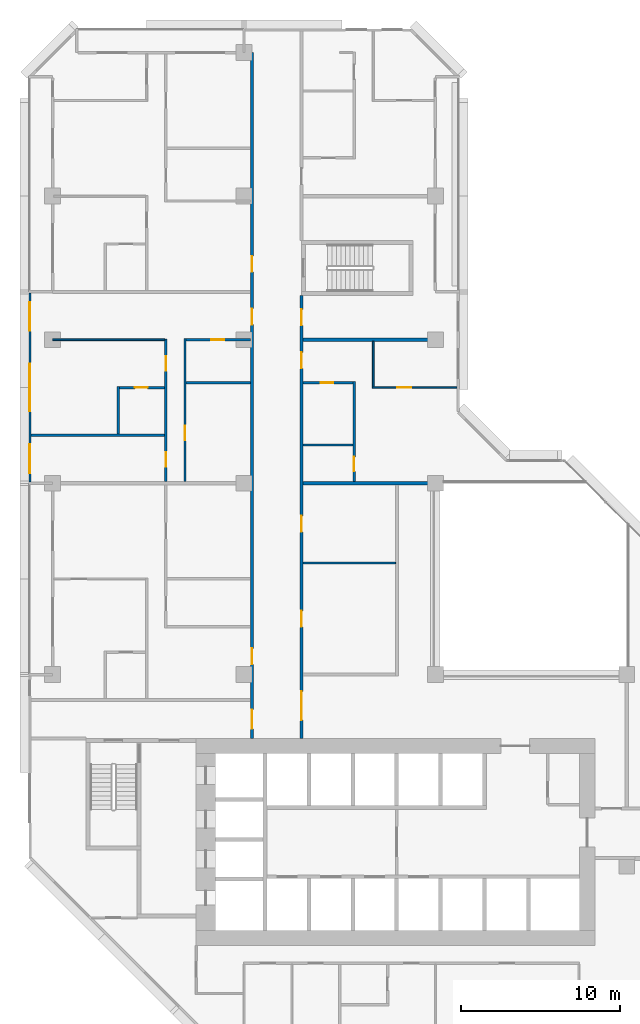
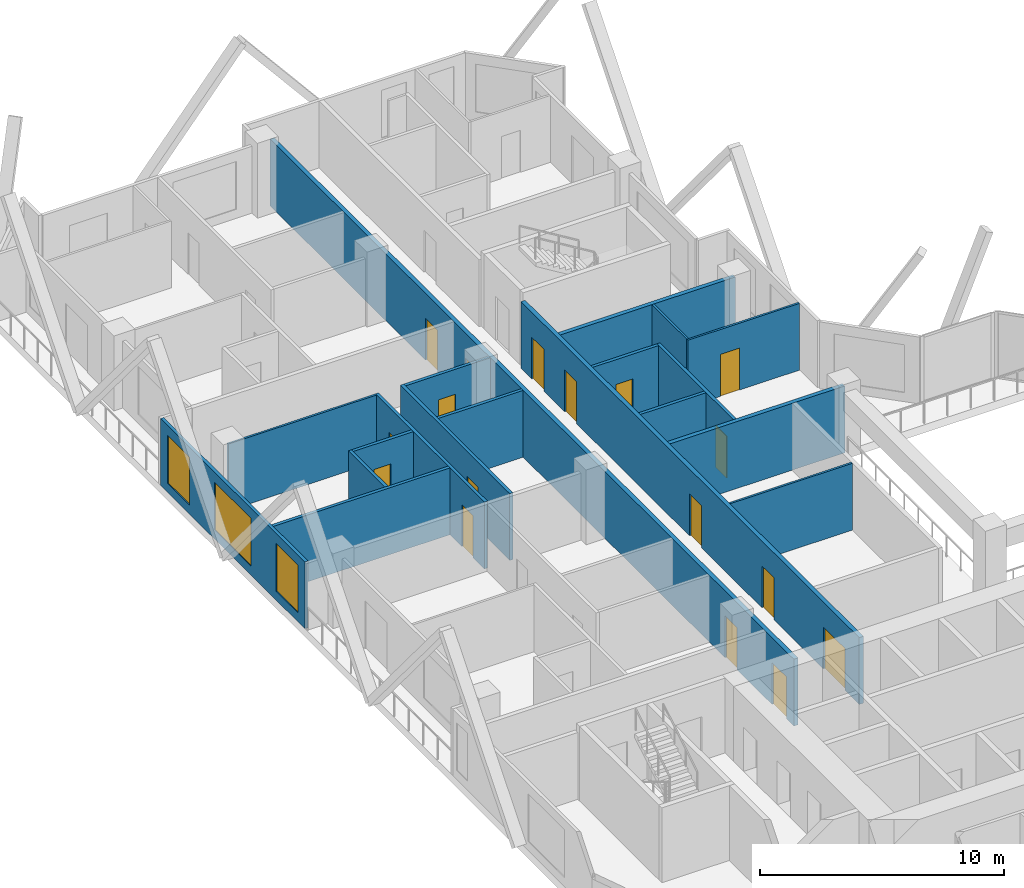
# One storey, part 9 of 15: 19 walls, 17 doors, 3 windows, 20 openings.
"""IFC4 building model written with IfcOpenShell, lengths in metres."""

from ifc_helpers import new_model, si_unit, direction, frame, frame_2d, origin, place, context, subcontext, project, spatial, rectangle, extrude, material, layer, layer_set, type_object, element, fill, save


model = new_model("IFC4")

# Units and contexts
model_context = context("Model", 3, precision=1e-05, world=origin(), true_north=direction((0.0, 1.0)))
body_context = subcontext(model_context, "Body", "Model", "MODEL_VIEW")
ifc_project = project(units=[si_unit("LENGTHUNIT", "METRE"), si_unit("AREAUNIT", "SQUARE_METRE"), si_unit("VOLUMEUNIT", "CUBIC_METRE"), si_unit("PLANEANGLEUNIT", "RADIAN"), si_unit("MASSUNIT", "GRAM", prefix="KILO")], contexts=[model_context])

# Site, building, storey
site_placement = place(None, origin())
site = spatial("IfcSite", under=ifc_project, at=site_placement, CompositionType="ELEMENT")
building_placement = place(site_placement, origin())
building = spatial("IfcBuilding", under=site, at=building_placement, Name="Chenar Terraces", CompositionType="ELEMENT")
storey_placement = place(building_placement, frame((0.0, 0.0, 106.89990234375)))
storey = spatial("IfcBuildingStorey", under=building, at=storey_placement, Name="L24", CompositionType="ELEMENT", Elevation=106.89990234375)

# Wall, openings, doors
ifc_material_1 = material(Name="Gypsum board on steel studs with fire boards", Category="steel")
ifc_layer_1 = layer(ifc_material_1, 0.199951171875)
ifc_layer_set_1 = layer_set([ifc_layer_1], Name="Gypsum board on steel studs with fire boards")
wall_type_1 = type_object("IfcWallType", Name="Corridor wall 200", PredefinedType="PARTITIONING", material=ifc_layer_set_1)
wall_1_placement = place(storey_placement, frame((12.5, 20.0, 0.0), z_axis=(0.0, 0.0, 1.0), x_axis=(0.0, 1.0, 0.0)))
wall_1 = element("IfcWall", 1, at=wall_1_placement, inside=storey, type_object=wall_type_1, Name="Partition L24-034", PredefinedType="PARTITIONING", context=body_context, shape_type="SweptSolid", body=[
    extrude(rectangle(XDim=43.0, YDim=0.199951171875, at=frame_2d((21.5, 0.0))), origin(), (0.0, 0.0, 1.0), 3.35009765625),
])
opening_1_placement = place(wall_1_placement, frame((25.949951171875, 0.0, 0.0)))
opening_1 = element("IfcOpeningElement", 2, at=opening_1_placement, cuts=wall_1, Name="Opening DL24-39", PredefinedType="OPENING", context=body_context, shape_type="SweptSolid", body=[
    extrude(rectangle(XDim=1.0, YDim=2.10009765625, at=frame_2d((0.5, 1.050048828125))), frame((0.0, 0.10986328125, 0.0), z_axis=(0.0, -1.0, 0.0), x_axis=(1.0, 0.0, 0.0)), (0.0, 0.0, 1.0), 0.219970703125),
])
opening_2_placement = place(wall_1_placement, frame((29.25, 0.0, 0.0)))
opening_2 = element("IfcOpeningElement", 3, at=opening_2_placement, cuts=wall_1, Name="Opening DL24-45", PredefinedType="OPENING", context=body_context, shape_type="SweptSolid", body=[
    extrude(rectangle(XDim=1.0, YDim=2.10009765625, at=frame_2d((0.5, 1.050048828125))), frame((0.0, 0.10986328125, 0.0), z_axis=(0.0, -1.0, 0.0), x_axis=(1.0, 0.0, 0.0)), (0.0, 0.0, 1.0), 0.219970703125),
])
opening_3_placement = place(wall_1_placement, frame((0.60009765625, 0.0, 0.0)))
opening_3 = element("IfcOpeningElement", 4, at=opening_3_placement, cuts=wall_1, Name="Opening DL24-48", PredefinedType="OPENING", context=body_context, shape_type="SweptSolid", body=[
    extrude(rectangle(XDim=1.199951171875, YDim=2.10009765625, at=frame_2d((0.60009765625, 1.050048828125))), frame((0.0, 0.10986328125, 0.0), z_axis=(0.0, -1.0, 0.0), x_axis=(1.0, 0.0, 0.0)), (0.0, 0.0, 1.0), 0.219970703125),
])
opening_4_placement = place(wall_1_placement, frame((4.64990234375, 0.0, 0.0)))
opening_4 = element("IfcOpeningElement", 5, at=opening_4_placement, cuts=wall_1, Name="Opening DL24-68", PredefinedType="OPENING", context=body_context, shape_type="SweptSolid", body=[
    extrude(rectangle(XDim=1.0, YDim=2.10009765625, at=frame_2d((0.5, 1.050048828125))), frame((0.0, 0.10986328125, 0.0), z_axis=(0.0, -1.0, 0.0), x_axis=(1.0, 0.0, 0.0)), (0.0, 0.0, 1.0), 0.219970703125),
])
ifc_material_2 = material(Name="Steel-framed fire-resisting door leaf", Category="steel")
door_type_1 = type_object("IfcDoorType", Name="Fire door FD30S 1000 x 2100", OperationType="SINGLE_SWING_LEFT", PredefinedType="DOOR", material=ifc_material_2)
door_1_placement = place(opening_1_placement, origin())
door_1 = element("IfcDoor", 6, at=door_1_placement, inside=storey, type_object=door_type_1, Name="Door DL24-39", OperationType="SINGLE_SWING_LEFT", OverallHeight=2.10009765625, OverallWidth=1.0, PredefinedType="DOOR", context=body_context, shape_type="SweptSolid", body=[
    extrude(rectangle(XDim=1.0, YDim=2.10009765625, at=frame_2d((0.5, 1.050048828125))), frame((0.0, 0.02490234375, 0.0), z_axis=(0.0, -1.0, 0.0), x_axis=(1.0, 0.0, 0.0)), (0.0, 0.0, 1.0), 0.050048828125),
])
fill(opening_1, door_1)
door_2_placement = place(opening_2_placement, origin())
door_2 = element("IfcDoor", 7, at=door_2_placement, inside=storey, type_object=door_type_1, Name="Door DL24-45", OperationType="SINGLE_SWING_LEFT", OverallHeight=2.10009765625, OverallWidth=1.0, PredefinedType="DOOR", context=body_context, shape_type="SweptSolid", body=[
    extrude(rectangle(XDim=1.0, YDim=2.10009765625, at=frame_2d((0.5, 1.050048828125))), frame((0.0, 0.02490234375, 0.0), z_axis=(0.0, -1.0, 0.0), x_axis=(1.0, 0.0, 0.0)), (0.0, 0.0, 1.0), 0.050048828125),
])
fill(opening_2, door_2)
door_3_placement = place(opening_4_placement, origin())
door_3 = element("IfcDoor", 8, at=door_3_placement, inside=storey, type_object=door_type_1, Name="Door DL24-68", OperationType="SINGLE_SWING_LEFT", OverallHeight=2.10009765625, OverallWidth=1.0, PredefinedType="DOOR", context=body_context, shape_type="SweptSolid", body=[
    extrude(rectangle(XDim=1.0, YDim=2.10009765625, at=frame_2d((0.5, 1.050048828125))), frame((0.0, 0.02490234375, 0.0), z_axis=(0.0, -1.0, 0.0), x_axis=(1.0, 0.0, 0.0)), (0.0, 0.0, 1.0), 0.050048828125),
])
fill(opening_4, door_3)
ifc_material_3 = material(Name="Steel-framed fire-resisting door leaf", Category="steel")
door_type_2 = type_object("IfcDoorType", Name="Fire door FD30S 1200 x 2100", OperationType="SINGLE_SWING_LEFT", PredefinedType="DOOR", material=ifc_material_3)
door_4_placement = place(opening_3_placement, origin())
door_4 = element("IfcDoor", 9, at=door_4_placement, inside=storey, type_object=door_type_2, Name="Door DL24-48", OperationType="SINGLE_SWING_RIGHT", OverallHeight=2.10009765625, OverallWidth=1.199951171875, PredefinedType="DOOR", context=body_context, shape_type="SweptSolid", body=[
    extrude(rectangle(XDim=1.199951171875, YDim=2.10009765625, at=frame_2d((0.60009765625, 1.050048828125))), frame((0.0, 0.02490234375, 0.0), z_axis=(0.0, -1.0, 0.0), x_axis=(1.0, 0.0, 0.0)), (0.0, 0.0, 1.0), 0.050048828125),
])
fill(opening_3, door_4)

wall_2_placement = place(storey_placement, frame((15.60009765625, 20.0, 0.0), z_axis=(0.0, 0.0, 1.0), x_axis=(0.0, 1.0, 0.0)))
wall_2 = element("IfcWall", 10, at=wall_2_placement, inside=storey, type_object=wall_type_1, Name="Partition L24-036", PredefinedType="PARTITIONING", context=body_context, shape_type="SweptSolid", body=[
    extrude(rectangle(XDim=27.77490234375, YDim=0.199951171875, at=frame_2d((13.887451171875, 0.0))), origin(), (0.0, 0.0, 1.0), 3.35009765625),
])
opening_5_placement = place(wall_2_placement, frame((7.0, 0.0, 0.0)))
opening_5 = element("IfcOpeningElement", 11, at=opening_5_placement, cuts=wall_2, Name="Opening DL24-1", PredefinedType="OPENING", context=body_context, shape_type="SweptSolid", body=[
    extrude(rectangle(XDim=1.0, YDim=2.10009765625, at=frame_2d((0.5, 1.050048828125))), frame((0.0, 0.10986328125, 0.0), z_axis=(0.0, -1.0, 0.0), x_axis=(1.0, 0.0, 0.0)), (0.0, 0.0, 1.0), 0.219970703125),
])
opening_6_placement = place(wall_2_placement, frame((12.949951171875, 0.0, 0.0)))
opening_6 = element("IfcOpeningElement", 12, at=opening_6_placement, cuts=wall_2, Name="Opening DL24-2", PredefinedType="OPENING", context=body_context, shape_type="SweptSolid", body=[
    extrude(rectangle(XDim=1.0, YDim=2.10009765625, at=frame_2d((0.5, 1.050048828125))), frame((0.0, 0.10986328125, 0.0), z_axis=(0.0, -1.0, 0.0), x_axis=(1.0, 0.0, 0.0)), (0.0, 0.0, 1.0), 0.219970703125),
])
opening_7_placement = place(wall_2_placement, frame((23.199951171875, 0.0, 0.0)))
opening_7 = element("IfcOpeningElement", 13, at=opening_7_placement, cuts=wall_2, Name="Opening DL24-29", PredefinedType="OPENING", context=body_context, shape_type="SweptSolid", body=[
    extrude(rectangle(XDim=1.0, YDim=2.10009765625, at=frame_2d((0.5, 1.050048828125))), frame((0.0, 0.10986328125, 0.0), z_axis=(0.0, -1.0, 0.0), x_axis=(1.0, 0.0, 0.0)), (0.0, 0.0, 1.0), 0.219970703125),
])
opening_8_placement = place(wall_2_placement, frame((1.14990234375, 0.0, 0.0)))
opening_8 = element("IfcOpeningElement", 14, at=opening_8_placement, cuts=wall_2, Name="Opening DL24-47", PredefinedType="OPENING", context=body_context, shape_type="SweptSolid", body=[
    extrude(rectangle(XDim=1.800048828125, YDim=2.10009765625, at=frame_2d((0.89990234375, 1.050048828125))), frame((0.0, 0.10986328125, 0.0), z_axis=(0.0, -1.0, 0.0), x_axis=(1.0, 0.0, 0.0)), (0.0, 0.0, 1.0), 0.219970703125),
])
opening_9_placement = place(wall_2_placement, frame((25.89990234375, 0.0, 0.0)))
opening_9 = element("IfcOpeningElement", 15, at=opening_9_placement, cuts=wall_2, Name="Opening DL24-50", PredefinedType="OPENING", context=body_context, shape_type="SweptSolid", body=[
    extrude(rectangle(XDim=1.0, YDim=2.10009765625, at=frame_2d((0.5, 1.050048828125))), frame((0.0, 0.10986328125, 0.0), z_axis=(0.0, -1.0, 0.0), x_axis=(1.0, 0.0, 0.0)), (0.0, 0.0, 1.0), 0.219970703125),
])
ifc_material_4 = material(Name="Steel-framed fire-resisting door leaf", Category="steel")
door_type_3 = type_object("IfcDoorType", Name="Fire door FD60 1000 x 2100", OperationType="SINGLE_SWING_LEFT", PredefinedType="DOOR", material=ifc_material_4)
door_5_placement = place(opening_5_placement, frame((1.0, 0.0, 0.0), z_axis=(0.0, 0.0, 1.0), x_axis=(-1.0, 0.0, 0.0)))
door_5 = element("IfcDoor", 16, at=door_5_placement, inside=storey, type_object=door_type_3, Name="Door DL24-1", OperationType="SINGLE_SWING_LEFT", OverallHeight=2.10009765625, OverallWidth=1.0, PredefinedType="DOOR", context=body_context, shape_type="SweptSolid", body=[
    extrude(rectangle(XDim=1.0, YDim=2.10009765625, at=frame_2d((0.5, 1.050048828125))), frame((0.0, 0.02490234375, 0.0), z_axis=(0.0, -1.0, 0.0), x_axis=(1.0, 0.0, 0.0)), (0.0, 0.0, 1.0), 0.050048828125),
])
fill(opening_5, door_5)
door_6_placement = place(opening_6_placement, frame((1.0, 0.0, 0.0), z_axis=(0.0, 0.0, 1.0), x_axis=(-1.0, 0.0, 0.0)))
door_6 = element("IfcDoor", 17, at=door_6_placement, inside=storey, type_object=door_type_3, Name="Door DL24-2", OperationType="SINGLE_SWING_LEFT", OverallHeight=2.10009765625, OverallWidth=1.0, PredefinedType="DOOR", context=body_context, shape_type="SweptSolid", body=[
    extrude(rectangle(XDim=1.0, YDim=2.10009765625, at=frame_2d((0.5, 1.050048828125))), frame((0.0, 0.02490234375, 0.0), z_axis=(0.0, -1.0, 0.0), x_axis=(1.0, 0.0, 0.0)), (0.0, 0.0, 1.0), 0.050048828125),
])
fill(opening_6, door_6)
door_7_placement = place(opening_7_placement, frame((1.0, 0.0, 0.0), z_axis=(0.0, 0.0, 1.0), x_axis=(-1.0, 0.0, 0.0)))
door_7 = element("IfcDoor", 18, at=door_7_placement, inside=storey, type_object=door_type_3, Name="Door DL24-29", OperationType="SINGLE_SWING_LEFT", OverallHeight=2.10009765625, OverallWidth=1.0, PredefinedType="DOOR", context=body_context, shape_type="SweptSolid", body=[
    extrude(rectangle(XDim=1.0, YDim=2.10009765625, at=frame_2d((0.5, 1.050048828125))), frame((0.0, 0.02490234375, 0.0), z_axis=(0.0, -1.0, 0.0), x_axis=(1.0, 0.0, 0.0)), (0.0, 0.0, 1.0), 0.050048828125),
])
fill(opening_7, door_7)
door_8_placement = place(opening_9_placement, frame((1.0, 0.0, 0.0), z_axis=(0.0, 0.0, 1.0), x_axis=(-1.0, 0.0, 0.0)))
door_8 = element("IfcDoor", 19, at=door_8_placement, inside=storey, type_object=door_type_3, Name="Door DL24-50", OperationType="SINGLE_SWING_RIGHT", OverallHeight=2.10009765625, OverallWidth=1.0, PredefinedType="DOOR", context=body_context, shape_type="SweptSolid", body=[
    extrude(rectangle(XDim=1.0, YDim=2.10009765625, at=frame_2d((0.5, 1.050048828125))), frame((0.0, 0.02490234375, 0.0), z_axis=(0.0, -1.0, 0.0), x_axis=(1.0, 0.0, 0.0)), (0.0, 0.0, 1.0), 0.050048828125),
])
fill(opening_9, door_8)
ifc_material_5 = material(Name="Steel-framed fire-resisting door leaf", Category="steel")
door_type_4 = type_object("IfcDoorType", Name="Fire double door FD60 1800 x 2100", OperationType="DOUBLE_DOOR_SINGLE_SWING", PredefinedType="DOOR", material=ifc_material_5)
door_9_placement = place(opening_8_placement, frame((1.800048828125, 0.0, 0.0), z_axis=(0.0, 0.0, 1.0), x_axis=(-1.0, 0.0, 0.0)))
door_9 = element("IfcDoor", 20, at=door_9_placement, inside=storey, type_object=door_type_4, Name="Door DL24-47", OperationType="DOUBLE_DOOR_SINGLE_SWING", OverallHeight=2.10009765625, OverallWidth=1.800048828125, PredefinedType="DOOR", context=body_context, shape_type="SweptSolid", body=[
    extrude(rectangle(XDim=1.800048828125, YDim=2.10009765625, at=frame_2d((0.89990234375, 1.050048828125))), frame((0.0, 0.02490234375, 0.0), z_axis=(0.0, -1.0, 0.0), x_axis=(1.0, 0.0, 0.0)), (0.0, 0.0, 1.0), 0.050048828125),
])
fill(opening_8, door_9)

# Wall, openings, windows
ifc_material_6 = material(Name="Aluminium framed glazing", Category="aluminium")
ifc_layer_2 = layer(ifc_material_6, 0.14990234375)
ifc_layer_set_2 = layer_set([ifc_layer_2], Name="Aluminium framed glazing")
wall_type_2 = type_object("IfcWallType", Name="Glazed flush facade wall 150", PredefinedType="SOLIDWALL", material=ifc_layer_set_2)
wall_3_placement = place(storey_placement, frame((-1.425048828125, 47.925048828125, 0.0), z_axis=(0.0, 0.0, 1.0), x_axis=(0.0, -1.0, 0.0)))
wall_3 = element("IfcWall", 21, at=wall_3_placement, inside=storey, type_object=wall_type_2, Name="Glazed flush facade wall", PredefinedType="SOLIDWALL", context=body_context, shape_type="SweptSolid", body=[
    extrude(rectangle(XDim=11.85009765625, YDim=0.14990234375, at=frame_2d((5.925048828125, 0.0))), origin(), (0.0, 0.0, 1.0), 3.35009765625),
])
opening_10_placement = place(wall_3_placement, frame((0.5625, 0.0, 0.449951171875)))
opening_10 = element("IfcOpeningElement", 22, at=opening_10_placement, cuts=wall_3, Name="Opening W180x240", PredefinedType="OPENING", context=body_context, shape_type="SweptSolid", body=[
    extrude(rectangle(XDim=1.800048828125, YDim=2.39990234375, at=frame_2d((0.89990234375, 1.199951171875))), frame((0.0, 0.0849609375, 0.0), z_axis=(0.0, -1.0, 0.0), x_axis=(1.0, 0.0, 0.0)), (0.0, 0.0, 1.0), 0.169921875),
])
opening_11_placement = place(wall_3_placement, frame((4.425048828125, 0.0, 0.449951171875)))
opening_11 = element("IfcOpeningElement", 23, at=opening_11_placement, cuts=wall_3, Name="Opening W300x240", PredefinedType="OPENING", context=body_context, shape_type="SweptSolid", body=[
    extrude(rectangle(XDim=3.0, YDim=2.39990234375, at=frame_2d((1.5, 1.199951171875))), frame((0.0, 0.0849609375, 0.0), z_axis=(0.0, -1.0, 0.0), x_axis=(1.0, 0.0, 0.0)), (0.0, 0.0, 1.0), 0.169921875),
])
opening_12_placement = place(wall_3_placement, frame((9.487548828125, 0.0, 0.449951171875)))
opening_12 = element("IfcOpeningElement", 24, at=opening_12_placement, cuts=wall_3, Name="Opening W180x240", PredefinedType="OPENING", context=body_context, shape_type="SweptSolid", body=[
    extrude(rectangle(XDim=1.800048828125, YDim=2.39990234375, at=frame_2d((0.89990234375, 1.199951171875))), frame((0.0, 0.0849609375, 0.0), z_axis=(0.0, -1.0, 0.0), x_axis=(1.0, 0.0, 0.0)), (0.0, 0.0, 1.0), 0.169921875),
])
ifc_material_7 = material(Name="Low emissivity double glazing, aluminium frame", Category="aluminium")
window_type_1 = type_object("IfcWindowType", Name="Fixed light 1800 x 2400", PartitioningType="SINGLE_PANEL", PredefinedType="WINDOW", material=ifc_material_7)
window_1_placement = place(opening_10_placement, origin())
window_1 = element("IfcWindow", 25, at=window_1_placement, inside=storey, type_object=window_type_1, Name="Window", OverallHeight=2.39990234375, OverallWidth=1.800048828125, PartitioningType="SINGLE_PANEL", PredefinedType="WINDOW", context=body_context, shape_type="SweptSolid", body=[
    extrude(rectangle(XDim=1.800048828125, YDim=2.39990234375, at=frame_2d((0.89990234375, 1.199951171875))), frame((0.0, 0.030029296875, 0.0), z_axis=(0.0, -1.0, 0.0), x_axis=(1.0, 0.0, 0.0)), (0.0, 0.0, 1.0), 0.06005859375),
])
fill(opening_10, window_1)
window_2_placement = place(opening_12_placement, origin())
window_2 = element("IfcWindow", 26, at=window_2_placement, inside=storey, type_object=window_type_1, Name="Window", OverallHeight=2.39990234375, OverallWidth=1.800048828125, PartitioningType="SINGLE_PANEL", PredefinedType="WINDOW", context=body_context, shape_type="SweptSolid", body=[
    extrude(rectangle(XDim=1.800048828125, YDim=2.39990234375, at=frame_2d((0.89990234375, 1.199951171875))), frame((0.0, 0.030029296875, 0.0), z_axis=(0.0, -1.0, 0.0), x_axis=(1.0, 0.0, 0.0)), (0.0, 0.0, 1.0), 0.06005859375),
])
fill(opening_12, window_2)
ifc_material_8 = material(Name="Low emissivity double glazing, aluminium frame", Category="aluminium")
window_type_2 = type_object("IfcWindowType", Name="Fixed light 3000 x 2400", PartitioningType="SINGLE_PANEL", PredefinedType="WINDOW", material=ifc_material_8)
window_3_placement = place(opening_11_placement, origin())
window_3 = element("IfcWindow", 27, at=window_3_placement, inside=storey, type_object=window_type_2, Name="Window", OverallHeight=2.39990234375, OverallWidth=3.0, PartitioningType="SINGLE_PANEL", PredefinedType="WINDOW", context=body_context, shape_type="SweptSolid", body=[
    extrude(rectangle(XDim=3.0, YDim=2.39990234375, at=frame_2d((1.5, 1.199951171875))), frame((0.0, 0.030029296875, 0.0), z_axis=(0.0, -1.0, 0.0), x_axis=(1.0, 0.0, 0.0)), (0.0, 0.0, 1.0), 0.06005859375),
])
fill(opening_11, window_3)

# Walls
ifc_material_9 = material(Name="Gypsum board on steel studs", Category="steel")
ifc_layer_3 = layer(ifc_material_9, 0.10009765625)
ifc_layer_set_3 = layer_set([ifc_layer_3], Name="Gypsum board on steel studs")
wall_type_3 = type_object("IfcWallType", Name="Gypsum partition 100", PredefinedType="PARTITIONING", material=ifc_layer_set_3)
wall_4_placement = place(storey_placement, frame((0.0, 45.0, 0.0), z_axis=(0.0, 0.0, 1.0), x_axis=(1.0, 0.0, 0.0)))
element("IfcWall", 28, at=wall_4_placement, inside=storey, type_object=wall_type_3, Name="Partition L24-005", PredefinedType="PARTITIONING", context=body_context, shape_type="SweptSolid", body=[
    extrude(rectangle(XDim=7.02490234375, YDim=0.10009765625, at=frame_2d((3.512451171875, 0.0))), origin(), (0.0, 0.0, 1.0), 3.35009765625),
])
wall_5_placement = place(storey_placement, frame((15.699951171875, 31.0, 0.0), z_axis=(0.0, 0.0, 1.0), x_axis=(1.0, 0.0, 0.0)))
element("IfcWall", 29, at=wall_5_placement, inside=storey, type_object=wall_type_3, Name="Partition L24-039", PredefinedType="PARTITIONING", context=body_context, shape_type="SweptSolid", body=[
    extrude(rectangle(XDim=5.800048828125, YDim=0.10009765625, at=frame_2d((2.89990234375, 0.0))), origin(), (0.0, 0.0, 1.0), 3.35009765625),
])

# Wall, opening, door
wall_6_placement = place(storey_placement, frame((20.050048828125, 42.0, 0.0), z_axis=(0.0, 0.0, 1.0), x_axis=(1.0, 0.0, 0.0)))
wall_6 = element("IfcWall", 30, at=wall_6_placement, inside=storey, type_object=wall_type_3, Name="Partition L24-052", PredefinedType="PARTITIONING", context=body_context, shape_type="SweptSolid", body=[
    extrude(rectangle(XDim=5.300048828125, YDim=0.10009765625, at=frame_2d((2.64990234375, 0.0))), origin(), (0.0, 0.0, 1.0), 3.35009765625),
])
opening_13_placement = place(wall_6_placement, frame((1.550048828125, 0.0, 0.0)))
opening_13 = element("IfcOpeningElement", 31, at=opening_13_placement, cuts=wall_6, Name="Opening DL24-27", PredefinedType="OPENING", context=body_context, shape_type="SweptSolid", body=[
    extrude(rectangle(XDim=0.89990234375, YDim=2.10009765625, at=frame_2d((0.449951171875, 1.050048828125))), frame((0.0, 0.06005859375, 0.0), z_axis=(0.0, -1.0, 0.0), x_axis=(1.0, 0.0, 0.0)), (0.0, 0.0, 1.0), 0.1201171875),
])
ifc_material_10 = material(Name="Veneered timber door leaf", Category="wood")
door_type_5 = type_object("IfcDoorType", Name="Door 900 x 2100", OperationType="SINGLE_SWING_LEFT", PredefinedType="DOOR", material=ifc_material_10)
door_10_placement = place(opening_13_placement, origin())
door_10 = element("IfcDoor", 32, at=door_10_placement, inside=storey, type_object=door_type_5, Name="Door DL24-27", OperationType="SINGLE_SWING_LEFT", OverallHeight=2.10009765625, OverallWidth=0.89990234375, PredefinedType="DOOR", context=body_context, shape_type="SweptSolid", body=[
    extrude(rectangle(XDim=0.89990234375, YDim=2.10009765625, at=frame_2d((0.449951171875, 1.050048828125))), frame((0.0, 0.02490234375, 0.0), z_axis=(0.0, -1.0, 0.0), x_axis=(1.0, 0.0, 0.0)), (0.0, 0.0, 1.0), 0.050048828125),
])
fill(opening_13, door_10)

# Walls
wall_7_placement = place(storey_placement, frame((20.10009765625, 42.050048828125, 0.0), z_axis=(0.0, 0.0, 1.0), x_axis=(0.0, 1.0, 0.0)))
element("IfcWall", 33, at=wall_7_placement, inside=storey, type_object=wall_type_3, Name="Partition L24-053", PredefinedType="PARTITIONING", context=body_context, shape_type="SweptSolid", body=[
    extrude(rectangle(XDim=2.849853515625, YDim=0.10009765625, at=frame_2d((1.4248046875, 0.0))), origin(), (0.0, 0.0, 1.0), 3.35009765625),
])
ifc_material_11 = material(Name="Twin gypsum board on steel studs with mineral wool", Category="steel")
ifc_layer_4 = layer(ifc_material_11, 0.199951171875)
ifc_layer_set_4 = layer_set([ifc_layer_4], Name="Twin gypsum board on steel studs with mineral wool")
wall_type_4 = type_object("IfcWallType", Name="Unit demising wall 200", PredefinedType="PARTITIONING", material=ifc_layer_set_4)
for number, where, z_axis, x_axis, name in (
    (34, (15.699951171875, 36.0, 0.0), (0.0, 0.0, 1.0), (1.0, 0.0, 0.0), "Partition L24-040"),
    (35, (15.699951171875, 45.0, 0.0), (0.0, 0.0, 1.0), (1.0, 0.0, 0.0), "Partition L24-043"),
):
    element("IfcWall", number, at=place(storey_placement, frame(where, z_axis=z_axis, x_axis=x_axis)), inside=storey, type_object=wall_type_4, Name=name, PredefinedType="PARTITIONING", context=body_context, shape_type="SweptSolid", body=[
        extrude(rectangle(XDim=8.300048828125, YDim=0.199951171875, at=frame_2d((4.14990234375, 0.0))), origin(), (0.0, 0.0, 1.0), 3.35009765625),
    ])
ifc_material_12 = material(Name="Moisture-resistant gypsum board on steel studs", Category="steel")
ifc_layer_5 = layer(ifc_material_12, 0.14990234375)
ifc_layer_set_5 = layer_set([ifc_layer_5], Name="Moisture-resistant gypsum board on steel studs")
wall_type_5 = type_object("IfcWallType", Name="Wet-room partition 150", PredefinedType="PARTITIONING", material=ifc_layer_set_5)
wall_8_placement = place(storey_placement, frame((-1.35107421875, 39.0, 0.0), z_axis=(0.0, 0.0, 1.0), x_axis=(1.0, 0.0, 0.0)))
element("IfcWall", 36, at=wall_8_placement, inside=storey, type_object=wall_type_5, Name="Partition L24-001", PredefinedType="PARTITIONING", context=body_context, shape_type="SweptSolid", body=[
    extrude(rectangle(XDim=8.3759765625, YDim=0.14990234375, at=frame_2d((4.18798828125, 0.0))), origin(), (0.0, 0.0, 1.0), 3.35009765625),
])
wall_9_placement = place(storey_placement, frame((4.10009765625, 39.074951171875, 0.0), z_axis=(0.0, 0.0, 1.0), x_axis=(0.0, 1.0, 0.0)))
element("IfcWall", 37, at=wall_9_placement, inside=storey, type_object=wall_type_5, Name="Partition L24-015", PredefinedType="PARTITIONING", context=body_context, shape_type="SweptSolid", body=[
    extrude(rectangle(XDim=3.0, YDim=0.14990234375, at=frame_2d((1.5, 0.0))), origin(), (0.0, 0.0, 1.0), 3.35009765625),
])

# Wall, opening, door
wall_10_placement = place(storey_placement, frame((4.175048828125, 42.0, 0.0), z_axis=(0.0, 0.0, 1.0), x_axis=(1.0, 0.0, 0.0)))
wall_10 = element("IfcWall", 38, at=wall_10_placement, inside=storey, type_object=wall_type_5, Name="Partition L24-016", PredefinedType="PARTITIONING", context=body_context, shape_type="SweptSolid", body=[
    extrude(rectangle(XDim=2.849853515625, YDim=0.14990234375, at=frame_2d((1.4248046875, 0.0))), origin(), (0.0, 0.0, 1.0), 3.35009765625),
])
opening_14_placement = place(wall_10_placement, frame((0.97509765625, 0.0, 0.0)))
opening_14 = element("IfcOpeningElement", 39, at=opening_14_placement, cuts=wall_10, Name="Opening DL24-37", PredefinedType="OPENING", context=body_context, shape_type="SweptSolid", body=[
    extrude(rectangle(XDim=0.800048828125, YDim=2.10009765625, at=frame_2d((0.39990234375, 1.050048828125))), frame((0.0, 0.0849609375, 0.0), z_axis=(0.0, -1.0, 0.0), x_axis=(1.0, 0.0, 0.0)), (0.0, 0.0, 1.0), 0.169921875),
])
ifc_material_13 = material(Name="Veneered timber door leaf", Category="wood")
door_type_6 = type_object("IfcDoorType", Name="Door 800 x 2100", OperationType="SINGLE_SWING_LEFT", PredefinedType="DOOR", material=ifc_material_13)
door_11_placement = place(opening_14_placement, frame((0.800048828125, 0.0, 0.0), z_axis=(0.0, 0.0, 1.0), x_axis=(-1.0, 0.0, 0.0)))
door_11 = element("IfcDoor", 40, at=door_11_placement, inside=storey, type_object=door_type_6, Name="Door DL24-37", OperationType="SINGLE_SWING_RIGHT", OverallHeight=2.10009765625, OverallWidth=0.800048828125, PredefinedType="DOOR", context=body_context, shape_type="SweptSolid", body=[
    extrude(rectangle(XDim=0.800048828125, YDim=2.10009765625, at=frame_2d((0.39990234375, 1.050048828125))), frame((0.0, 0.02490234375, 0.0), z_axis=(0.0, -1.0, 0.0), x_axis=(1.0, 0.0, 0.0)), (0.0, 0.0, 1.0), 0.050048828125),
])
fill(opening_14, door_11)

# Wall, openings, doors
wall_11_placement = place(storey_placement, frame((7.10009765625, 36.10009765625, 0.0), z_axis=(0.0, 0.0, 1.0), x_axis=(0.0, 1.0, 0.0)))
wall_11 = element("IfcWall", 41, at=wall_11_placement, inside=storey, type_object=wall_type_5, Name="Partition L24-021", PredefinedType="PARTITIONING", context=body_context, shape_type="SweptSolid", body=[
    extrude(rectangle(XDim=8.949951171875, YDim=0.14990234375, at=frame_2d((4.47509765625, 0.0))), origin(), (0.0, 0.0, 1.0), 3.35009765625),
])
opening_15_placement = place(wall_11_placement, frame((0.949951171875, 0.0, 0.0)))
opening_15 = element("IfcOpeningElement", 42, at=opening_15_placement, cuts=wall_11, Name="Opening DL24-35", PredefinedType="OPENING", context=body_context, shape_type="SweptSolid", body=[
    extrude(rectangle(XDim=0.89990234375, YDim=2.10009765625, at=frame_2d((0.449951171875, 1.050048828125))), frame((0.0, 0.0849609375, 0.0), z_axis=(0.0, -1.0, 0.0), x_axis=(1.0, 0.0, 0.0)), (0.0, 0.0, 1.0), 0.169921875),
])
opening_16_placement = place(wall_11_placement, frame((6.949951171875, 0.0, 0.0)))
opening_16 = element("IfcOpeningElement", 43, at=opening_16_placement, cuts=wall_11, Name="Opening DL24-36", PredefinedType="OPENING", context=body_context, shape_type="SweptSolid", body=[
    extrude(rectangle(XDim=0.89990234375, YDim=2.10009765625, at=frame_2d((0.449951171875, 1.050048828125))), frame((0.0, 0.0849609375, 0.0), z_axis=(0.0, -1.0, 0.0), x_axis=(1.0, 0.0, 0.0)), (0.0, 0.0, 1.0), 0.169921875),
])
door_12_placement = place(opening_15_placement, origin())
door_12 = element("IfcDoor", 44, at=door_12_placement, inside=storey, type_object=door_type_5, Name="Door DL24-35", OperationType="SINGLE_SWING_RIGHT", OverallHeight=2.10009765625, OverallWidth=0.89990234375, PredefinedType="DOOR", context=body_context, shape_type="SweptSolid", body=[
    extrude(rectangle(XDim=0.89990234375, YDim=2.10009765625, at=frame_2d((0.449951171875, 1.050048828125))), frame((0.0, 0.02490234375, 0.0), z_axis=(0.0, -1.0, 0.0), x_axis=(1.0, 0.0, 0.0)), (0.0, 0.0, 1.0), 0.050048828125),
])
fill(opening_15, door_12)
door_13_placement = place(opening_16_placement, origin())
door_13 = element("IfcDoor", 45, at=door_13_placement, inside=storey, type_object=door_type_5, Name="Door DL24-36", OperationType="SINGLE_SWING_RIGHT", OverallHeight=2.10009765625, OverallWidth=0.89990234375, PredefinedType="DOOR", context=body_context, shape_type="SweptSolid", body=[
    extrude(rectangle(XDim=0.89990234375, YDim=2.10009765625, at=frame_2d((0.449951171875, 1.050048828125))), frame((0.0, 0.02490234375, 0.0), z_axis=(0.0, -1.0, 0.0), x_axis=(1.0, 0.0, 0.0)), (0.0, 0.0, 1.0), 0.050048828125),
])
fill(opening_16, door_13)

# Wall, opening, door
wall_12_placement = place(storey_placement, frame((8.300048828125, 36.10009765625, 0.0), z_axis=(0.0, 0.0, 1.0), x_axis=(0.0, 1.0, 0.0)))
wall_12 = element("IfcWall", 46, at=wall_12_placement, inside=storey, type_object=wall_type_5, Name="Partition L24-027", PredefinedType="PARTITIONING", context=body_context, shape_type="SweptSolid", body=[
    extrude(rectangle(XDim=8.974853515625, YDim=0.14990234375, at=frame_2d((4.4873046875, 0.0))), origin(), (0.0, 0.0, 1.0), 3.35009765625),
])
opening_17_placement = place(wall_12_placement, frame((2.60009765625, 0.0, 0.0)))
opening_17 = element("IfcOpeningElement", 47, at=opening_17_placement, cuts=wall_12, Name="Opening DL24-38", PredefinedType="OPENING", context=body_context, shape_type="SweptSolid", body=[
    extrude(rectangle(XDim=0.89990234375, YDim=2.10009765625, at=frame_2d((0.449951171875, 1.050048828125))), frame((0.0, 0.0849609375, 0.0), z_axis=(0.0, -1.0, 0.0), x_axis=(1.0, 0.0, 0.0)), (0.0, 0.0, 1.0), 0.169921875),
])
door_14_placement = place(opening_17_placement, frame((0.89990234375, 0.0, 0.0), z_axis=(0.0, 0.0, 1.0), x_axis=(-1.0, 0.0, 0.0)))
door_14 = element("IfcDoor", 48, at=door_14_placement, inside=storey, type_object=door_type_5, Name="Door DL24-38", OperationType="SINGLE_SWING_LEFT", OverallHeight=2.10009765625, OverallWidth=0.89990234375, PredefinedType="DOOR", context=body_context, shape_type="SweptSolid", body=[
    extrude(rectangle(XDim=0.89990234375, YDim=2.10009765625, at=frame_2d((0.449951171875, 1.050048828125))), frame((0.0, 0.02490234375, 0.0), z_axis=(0.0, -1.0, 0.0), x_axis=(1.0, 0.0, 0.0)), (0.0, 0.0, 1.0), 0.050048828125),
])
fill(opening_17, door_14)

# Wall
wall_13_placement = place(storey_placement, frame((8.375, 42.300048828125, 0.0), z_axis=(0.0, 0.0, 1.0), x_axis=(1.0, 0.0, 0.0)))
element("IfcWall", 49, at=wall_13_placement, inside=storey, type_object=wall_type_5, Name="Partition L24-028", PredefinedType="PARTITIONING", context=body_context, shape_type="SweptSolid", body=[
    extrude(rectangle(XDim=4.02490234375, YDim=0.14990234375, at=frame_2d((2.012451171875, 0.0))), origin(), (0.0, 0.0, 1.0), 3.35009765625),
])

# Wall, opening, door
wall_14_placement = place(storey_placement, frame((8.375, 45.0, 0.0), z_axis=(0.0, 0.0, 1.0), x_axis=(1.0, 0.0, 0.0)))
wall_14 = element("IfcWall", 50, at=wall_14_placement, inside=storey, type_object=wall_type_5, Name="Partition L24-029", PredefinedType="PARTITIONING", context=body_context, shape_type="SweptSolid", body=[
    extrude(rectangle(XDim=4.02490234375, YDim=0.14990234375, at=frame_2d((2.012451171875, 0.0))), origin(), (0.0, 0.0, 1.0), 3.35009765625),
])
opening_18_placement = place(wall_14_placement, frame((1.574951171875, 0.0, 0.0)))
opening_18 = element("IfcOpeningElement", 51, at=opening_18_placement, cuts=wall_14, Name="Opening DL24-34", PredefinedType="OPENING", context=body_context, shape_type="SweptSolid", body=[
    extrude(rectangle(XDim=0.800048828125, YDim=2.10009765625, at=frame_2d((0.39990234375, 1.050048828125))), frame((0.0, 0.0849609375, 0.0), z_axis=(0.0, -1.0, 0.0), x_axis=(1.0, 0.0, 0.0)), (0.0, 0.0, 1.0), 0.169921875),
])
door_15_placement = place(opening_18_placement, frame((0.800048828125, 0.0, 0.0), z_axis=(0.0, 0.0, 1.0), x_axis=(-1.0, 0.0, 0.0)))
door_15 = element("IfcDoor", 52, at=door_15_placement, inside=storey, type_object=door_type_6, Name="Door DL24-34", OperationType="SINGLE_SWING_LEFT", OverallHeight=2.10009765625, OverallWidth=0.800048828125, PredefinedType="DOOR", context=body_context, shape_type="SweptSolid", body=[
    extrude(rectangle(XDim=0.800048828125, YDim=2.10009765625, at=frame_2d((0.39990234375, 1.050048828125))), frame((0.0, 0.02490234375, 0.0), z_axis=(0.0, -1.0, 0.0), x_axis=(1.0, 0.0, 0.0)), (0.0, 0.0, 1.0), 0.050048828125),
])
fill(opening_18, door_15)

# Wall
wall_15_placement = place(storey_placement, frame((15.699951171875, 38.39990234375, 0.0), z_axis=(0.0, 0.0, 1.0), x_axis=(1.0, 0.0, 0.0)))
element("IfcWall", 53, at=wall_15_placement, inside=storey, type_object=wall_type_5, Name="Partition L24-041", PredefinedType="PARTITIONING", context=body_context, shape_type="SweptSolid", body=[
    extrude(rectangle(XDim=3.125, YDim=0.14990234375, at=frame_2d((1.5625, 0.0))), origin(), (0.0, 0.0, 1.0), 3.35009765625),
])

# Wall, opening, door
wall_16_placement = place(storey_placement, frame((15.699951171875, 42.300048828125, 0.0), z_axis=(0.0, 0.0, 1.0), x_axis=(1.0, 0.0, 0.0)))
wall_16 = element("IfcWall", 54, at=wall_16_placement, inside=storey, type_object=wall_type_5, Name="Partition L24-042", PredefinedType="PARTITIONING", context=body_context, shape_type="SweptSolid", body=[
    extrude(rectangle(XDim=3.125, YDim=0.14990234375, at=frame_2d((1.5625, 0.0))), origin(), (0.0, 0.0, 1.0), 3.35009765625),
])
opening_19_placement = place(wall_16_placement, frame((1.10009765625, 0.0, 0.0)))
opening_19 = element("IfcOpeningElement", 55, at=opening_19_placement, cuts=wall_16, Name="Opening DL24-26", PredefinedType="OPENING", context=body_context, shape_type="SweptSolid", body=[
    extrude(rectangle(XDim=0.800048828125, YDim=2.10009765625, at=frame_2d((0.39990234375, 1.050048828125))), frame((0.0, 0.0849609375, 0.0), z_axis=(0.0, -1.0, 0.0), x_axis=(1.0, 0.0, 0.0)), (0.0, 0.0, 1.0), 0.169921875),
])
door_16_placement = place(opening_19_placement, frame((0.800048828125, 0.0, 0.0), z_axis=(0.0, 0.0, 1.0), x_axis=(-1.0, 0.0, 0.0)))
door_16 = element("IfcDoor", 56, at=door_16_placement, inside=storey, type_object=door_type_6, Name="Door DL24-26", OperationType="SINGLE_SWING_RIGHT", OverallHeight=2.10009765625, OverallWidth=0.800048828125, PredefinedType="DOOR", context=body_context, shape_type="SweptSolid", body=[
    extrude(rectangle(XDim=0.800048828125, YDim=2.10009765625, at=frame_2d((0.39990234375, 1.050048828125))), frame((0.0, 0.02490234375, 0.0), z_axis=(0.0, -1.0, 0.0), x_axis=(1.0, 0.0, 0.0)), (0.0, 0.0, 1.0), 0.050048828125),
])
fill(opening_19, door_16)

wall_17_placement = place(storey_placement, frame((18.89990234375, 36.10009765625, 0.0), z_axis=(0.0, 0.0, 1.0), x_axis=(0.0, 1.0, 0.0)))
wall_17 = element("IfcWall", 57, at=wall_17_placement, inside=storey, type_object=wall_type_5, Name="Partition L24-050", PredefinedType="PARTITIONING", context=body_context, shape_type="SweptSolid", body=[
    extrude(rectangle(XDim=6.27490234375, YDim=0.14990234375, at=frame_2d((3.137451171875, 0.0))), origin(), (0.0, 0.0, 1.0), 3.35009765625),
])
opening_20_placement = place(wall_17_placement, frame((0.64990234375, 0.0, 0.0)))
opening_20 = element("IfcOpeningElement", 58, at=opening_20_placement, cuts=wall_17, Name="Opening DL24-28", PredefinedType="OPENING", context=body_context, shape_type="SweptSolid", body=[
    extrude(rectangle(XDim=0.89990234375, YDim=2.10009765625, at=frame_2d((0.449951171875, 1.050048828125))), frame((0.0, 0.0849609375, 0.0), z_axis=(0.0, -1.0, 0.0), x_axis=(1.0, 0.0, 0.0)), (0.0, 0.0, 1.0), 0.169921875),
])
door_17_placement = place(opening_20_placement, origin())
door_17 = element("IfcDoor", 59, at=door_17_placement, inside=storey, type_object=door_type_5, Name="Door DL24-28", OperationType="SINGLE_SWING_RIGHT", OverallHeight=2.10009765625, OverallWidth=0.89990234375, PredefinedType="DOOR", context=body_context, shape_type="SweptSolid", body=[
    extrude(rectangle(XDim=0.89990234375, YDim=2.10009765625, at=frame_2d((0.449951171875, 1.050048828125))), frame((0.0, 0.02490234375, 0.0), z_axis=(0.0, -1.0, 0.0), x_axis=(1.0, 0.0, 0.0)), (0.0, 0.0, 1.0), 0.050048828125),
])
fill(opening_20, door_17)

save(model, "model.ifc")
